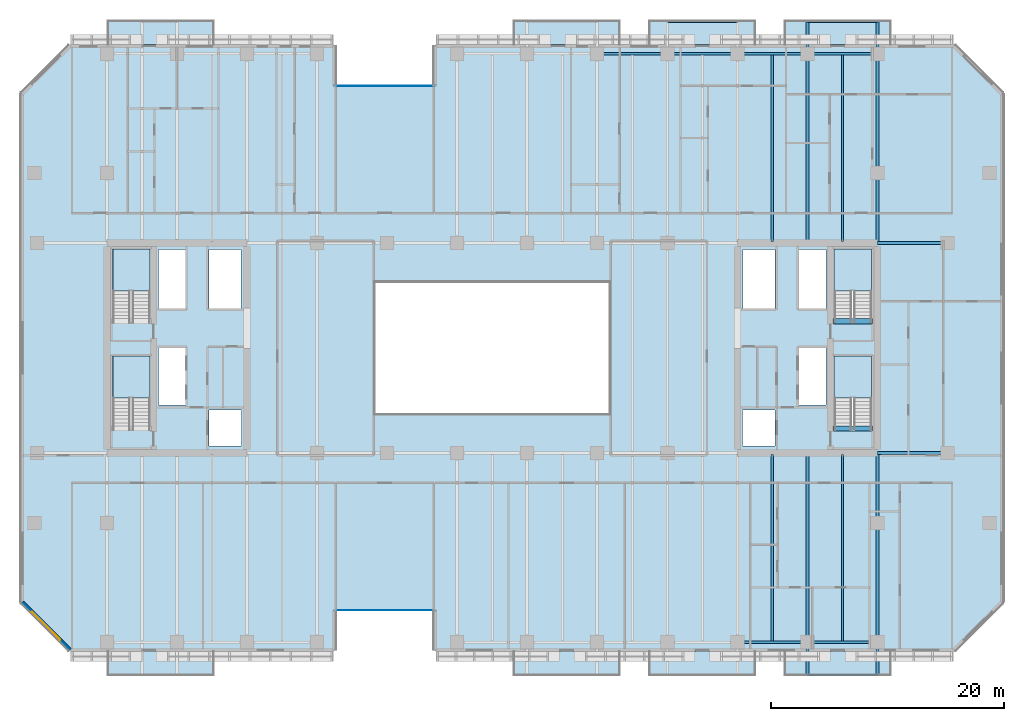
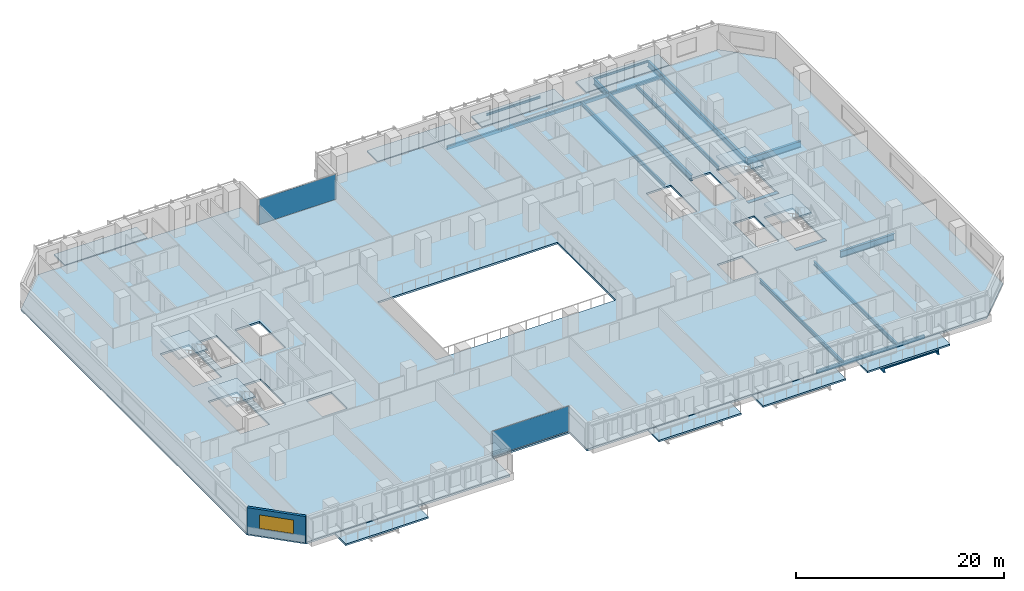
# One storey, part 9 of 25: 21 beams, 13 slabs, 2 plates, 1 wall, 1 window, 1 opening, 6 elements without a shape of their own.
"""IFC4 building model written with IfcOpenShell, lengths in metres."""

from ifc_helpers import new_model, si_unit, direction, frame, frame_2d, origin, origin_2d, place, context, subcontext, project, spatial, polyline, rectangle, hollow_rectangle, i_section, outline, extrude, material, layer, layer_set, material_profile, profile_set, type_object, element, fill, aggregate, save


model = new_model("IFC4")

# Units and contexts
model_context = context("Model", 3, precision=1e-05, world=origin(), true_north=direction((0.0, 1.0)))
body_context = subcontext(model_context, "Body", "Model", "MODEL_VIEW")
ifc_project = project(units=[si_unit("LENGTHUNIT", "METRE"), si_unit("AREAUNIT", "SQUARE_METRE"), si_unit("VOLUMEUNIT", "CUBIC_METRE"), si_unit("PLANEANGLEUNIT", "RADIAN"), si_unit("MASSUNIT", "GRAM", prefix="KILO")], contexts=[model_context])

# Site, building, storey
site_placement = place(None, origin())
site = spatial("IfcSite", under=ifc_project, at=site_placement, CompositionType="ELEMENT")
building_placement = place(site_placement, origin())
building = spatial("IfcBuilding", under=site, at=building_placement, Name="Tanjung Sevakor Pilgrim Tower", CompositionType="ELEMENT")
storey_placement = place(building_placement, frame((0.0, 0.0, 42.239990234375)))
storey = spatial("IfcBuildingStorey", under=building, at=storey_placement, Name="L11", CompositionType="ELEMENT", Elevation=42.239990234375)

# Beams
ifc_material_1 = material(Name="Steel S355J2", Category="steel")
ifc_material_profile_1 = material_profile(ifc_material_1, i_section(OverallWidth=0.26806640625, OverallDepth=0.769775390625, WebThickness=0.015625, FlangeThickness=0.025390625, FilletRadius=0.0166015625, at=origin_2d()))
ifc_profile_set_1 = profile_set([ifc_material_profile_1], Name="Steel S355J2")
beam_type_1 = type_object("IfcBeamType", Name="BM-B-G1-UB_762x267x197", PredefinedType="BEAM", material=ifc_profile_set_1)
for number, where, z_axis, x_axis, name in (
    (1, (90.0, 24.60009765625, -0.60498046875), (1.0, 0.0, 0.0), (0.0, 1.0, 0.0), "L11 Primary Floor Girder MAIN Y246-09"),
    (2, (90.0, 42.60009765625, -0.60498046875), (1.0, 0.0, 0.0), (0.0, 1.0, 0.0), "L11 Primary Floor Girder MAIN Y426-09"),
):
    element("IfcBeam", number, at=place(storey_placement, frame(where, z_axis=z_axis, x_axis=x_axis)), inside=storey, type_object=beam_type_1, Name=name, PredefinedType="BEAM", context=body_context, shape_type="SweptSolid", body=[
        extrude(i_section(OverallWidth=0.26806640625, OverallDepth=0.769775390625, WebThickness=0.015625, FlangeThickness=0.025390625, FilletRadius=0.0166015625, at=origin_2d()), origin(), (0.0, 0.0, 1.0), 6.0),
    ])
ifc_material_2 = material(Name="Steel S355J2", Category="steel")
ifc_material_profile_2 = material_profile(ifc_material_2, i_section(OverallWidth=0.25439453125, OverallDepth=0.6875, WebThickness=0.01318359375, FlangeThickness=0.02099609375, FilletRadius=0.01513671875, at=origin_2d()))
ifc_profile_set_2 = profile_set([ifc_material_profile_2], Name="Steel S355J2")
beam_type_2 = type_object("IfcBeamType", Name="BM-B-G2-UB_686x254x152", PredefinedType="BEAM", material=ifc_profile_set_2)
beam_1_placement = place(storey_placement, frame((84.0, 24.466064453125, -0.563720703125), z_axis=(0.0, -1.0, 0.0), x_axis=(1.0, 0.0, 0.0)))
element("IfcBeam", 3, at=beam_1_placement, inside=storey, type_object=beam_type_2, Name="L11 Balcony Cantilever Beam MAIN-S4-1", PredefinedType="BEAM", context=body_context, shape_type="SweptSolid", body=[
    extrude(i_section(OverallWidth=0.25439453125, OverallDepth=0.6875, WebThickness=0.01318359375, FlangeThickness=0.02099609375, FilletRadius=0.01513671875, at=origin_2d()), origin(), (0.0, 0.0, 1.0), 18.845947265625),
])
beam_2_placement = place(storey_placement, frame((84.0, 42.73388671875, -0.563720703125), z_axis=(0.0, 1.0, 0.0), x_axis=(-1.0, 0.0, 0.0)))
element("IfcBeam", 4, at=beam_2_placement, inside=storey, type_object=beam_type_2, Name="L11 Balcony Cantilever Beam MAIN-N4-1", PredefinedType="BEAM", context=body_context, shape_type="SweptSolid", body=[
    extrude(i_section(OverallWidth=0.25439453125, OverallDepth=0.6875, WebThickness=0.01318359375, FlangeThickness=0.02099609375, FilletRadius=0.01513671875, at=origin_2d()), origin(), (0.0, 0.0, 1.0), 18.84619140625),
])
beam_3_placement = place(storey_placement, frame((90.0, 24.466064453125, -0.563720703125), z_axis=(0.0, -1.0, 0.0), x_axis=(1.0, 0.0, 0.0)))
element("IfcBeam", 5, at=beam_3_placement, inside=storey, type_object=beam_type_2, Name="L11 Balcony Cantilever Beam MAIN-S4-2", PredefinedType="BEAM", context=body_context, shape_type="SweptSolid", body=[
    extrude(i_section(OverallWidth=0.25439453125, OverallDepth=0.6875, WebThickness=0.01318359375, FlangeThickness=0.02099609375, FilletRadius=0.01513671875, at=origin_2d()), origin(), (0.0, 0.0, 1.0), 18.845947265625),
])
beam_4_placement = place(storey_placement, frame((90.0, 42.73388671875, -0.563720703125), z_axis=(0.0, 1.0, 0.0), x_axis=(-1.0, 0.0, 0.0)))
element("IfcBeam", 6, at=beam_4_placement, inside=storey, type_object=beam_type_2, Name="L11 Balcony Cantilever Beam MAIN-N4-2", PredefinedType="BEAM", context=body_context, shape_type="SweptSolid", body=[
    extrude(i_section(OverallWidth=0.25439453125, OverallDepth=0.6875, WebThickness=0.01318359375, FlangeThickness=0.02099609375, FilletRadius=0.01513671875, at=origin_2d()), origin(), (0.0, 0.0, 1.0), 18.84619140625),
])
ifc_material_3 = material(Name="Steel S355J2", Category="steel")
ifc_material_profile_3 = material_profile(ifc_material_3, i_section(OverallWidth=0.19140625, OverallDepth=0.4599609375, WebThickness=0.010009765625, FlangeThickness=0.01611328125, FilletRadius=0.01025390625, at=origin_2d()))
ifc_profile_set_3 = profile_set([ifc_material_profile_3], Name="Steel S355J2")
beam_type_3 = type_object("IfcBeamType", Name="BM-B-J2-UB_457x191x82", PredefinedType="JOIST", material=ifc_profile_set_3)
for number, where, z_axis, x_axis, name in (
    (7, (81.0, 8.5, -0.449951171875), (0.0, 1.0, 0.0), (-1.0, 0.0, 0.0), "L11 MAIN Joist 026"),
    (8, (81.0, 42.73388671875, -0.449951171875), (0.0, 1.0, 0.0), (-1.0, 0.0, 0.0), "L11 MAIN Joist 027"),
    (9, (87.0, 8.5, -0.449951171875), (0.0, 1.0, 0.0), (-1.0, 0.0, 0.0), "L11 MAIN Joist 028"),
    (10, (87.0, 42.73388671875, -0.449951171875), (0.0, 1.0, 0.0), (-1.0, 0.0, 0.0), "L11 MAIN Joist 029"),
):
    element("IfcBeam", number, at=place(storey_placement, frame(where, z_axis=z_axis, x_axis=x_axis)), inside=storey, type_object=beam_type_3, Name=name, PredefinedType="JOIST", context=body_context, shape_type="SweptSolid", body=[
        extrude(i_section(OverallWidth=0.19140625, OverallDepth=0.4599609375, WebThickness=0.010009765625, FlangeThickness=0.01611328125, FilletRadius=0.01025390625, at=origin_2d()), origin(), (0.0, 0.0, 1.0), 15.966064453125),
    ])
ifc_material_4 = material(Name="Steel S355J2", Category="steel")
ifc_material_profile_4 = material_profile(ifc_material_4, i_section(OverallWidth=0.146484375, OverallDepth=0.256103515625, WebThickness=0.00634765625, FlangeThickness=0.010986328125, FilletRadius=0.007568359375, at=origin_2d()))
ifc_profile_set_4 = profile_set([ifc_material_profile_4], Name="Steel S355J2")
beam_type_4 = type_object("IfcBeamType", Name="BM-B-J6-UB_254x146x37", PredefinedType="JOIST", material=ifc_profile_set_4)
for number, where, z_axis, x_axis, name in (
    (11, (72.0, 61.580078125, -0.327880859375), (1.0, 0.0, 0.0), (0.0, 1.0, 0.0), "L11 Balcony Rim Tie MAIN-N3"),
    (12, (84.0, 5.6201171875, -0.327880859375), (1.0, 0.0, 0.0), (0.0, 1.0, 0.0), "L11 Balcony Rim Tie MAIN-S4"),
    (13, (84.0, 61.580078125, -0.327880859375), (1.0, 0.0, 0.0), (0.0, 1.0, 0.0), "L11 Balcony Rim Tie MAIN-N4"),
):
    element("IfcBeam", number, at=place(storey_placement, frame(where, z_axis=z_axis, x_axis=x_axis)), inside=storey, type_object=beam_type_4, Name=name, PredefinedType="JOIST", context=body_context, shape_type="SweptSolid", body=[
        extrude(i_section(OverallWidth=0.146484375, OverallDepth=0.256103515625, WebThickness=0.00634765625, FlangeThickness=0.010986328125, FilletRadius=0.007568359375, at=origin_2d()), origin(), (0.0, 0.0, 1.0), 6.0),
    ])
ifc_material_5 = material(Name="Concrete C60/75", Category="concrete")
ifc_material_profile_5 = material_profile(ifc_material_5, rectangle(XDim=0.449951171875, YDim=0.699951171875, at=origin_2d()))
ifc_profile_set_5 = profile_set([ifc_material_profile_5], Name="Concrete C60/75")
beam_type_5 = type_object("IfcBeamType", Name="BM-B-LN3-RC-BM_450x700", PredefinedType="LINTEL", material=ifc_profile_set_5)
for number, where, z_axis, x_axis, name in (
    (14, (86.199951171875, 26.699951171875, -0.35009765625), (1.0, 0.0, 0.0), (0.0, 1.0, 0.0), "L11 TS-E1 Stair Threshold Beam"),
    (15, (86.199951171875, 35.89990234375, -0.35009765625), (1.0, 0.0, 0.0), (0.0, 1.0, 0.0), "L11 TS-E2 Stair Threshold Beam"),
):
    element("IfcBeam", number, at=place(storey_placement, frame(where, z_axis=z_axis, x_axis=x_axis)), inside=storey, type_object=beam_type_5, Name=name, PredefinedType="LINTEL", context=body_context, shape_type="SweptSolid", body=[
        extrude(rectangle(XDim=0.449951171875, YDim=0.699951171875, at=origin_2d()), origin(), (0.0, 0.0, 1.0), 3.400146484375),
    ])
ifc_material_6 = material(Name="Steel S355J2", Category="steel")
ifc_material_profile_6 = material_profile(ifc_material_6, hollow_rectangle(XDim=0.199951171875, YDim=0.39990234375, WallThickness=0.01611328125, at=origin_2d()))
ifc_profile_set_6 = profile_set([ifc_material_profile_6], Name="Steel S355J2")
beam_type_6 = type_object("IfcBeamType", Name="BM-B-SP2-RHS_400x200x16", PredefinedType="SPANDREL", material=ifc_profile_set_6)
for number, where, z_axis, x_axis, name in (
    (16, (66.0, 58.800048828125, -0.419921875), (1.0, 0.0, 0.0), (0.0, 1.0, 0.0), "L11 Spandrel MAIN N-12"),
    (17, (72.0, 58.800048828125, -0.419921875), (1.0, 0.0, 0.0), (0.0, 1.0, 0.0), "L11 Spandrel MAIN N-14"),
    (18, (78.0, 8.39990234375, -0.419921875), (1.0, 0.0, 0.0), (0.0, 1.0, 0.0), "L11 Spandrel MAIN S-15"),
    (19, (78.0, 58.800048828125, -0.419921875), (1.0, 0.0, 0.0), (0.0, 1.0, 0.0), "L11 Spandrel MAIN N-16"),
    (20, (84.0, 8.39990234375, -0.419921875), (1.0, 0.0, 0.0), (0.0, 1.0, 0.0), "L11 Spandrel MAIN S-17"),
    (21, (84.0, 58.800048828125, -0.419921875), (1.0, 0.0, 0.0), (0.0, 1.0, 0.0), "L11 Spandrel MAIN N-18"),
):
    element("IfcBeam", number, at=place(storey_placement, frame(where, z_axis=z_axis, x_axis=x_axis)), inside=storey, type_object=beam_type_6, Name=name, PredefinedType="SPANDREL", context=body_context, shape_type="SweptSolid", body=[
        extrude(hollow_rectangle(XDim=0.199951171875, YDim=0.39990234375, WallThickness=0.01611328125, at=origin_2d()), origin(), (0.0, 0.0, 1.0), 6.0),
    ])

# Slabs
ifc_material_7 = material(Name="Concrete C40/50", Category="concrete")
ifc_layer_1 = layer(ifc_material_7, 0.199951171875)
ifc_layer_set_1 = layer_set([ifc_layer_1], Name="SL-BAL-200")
slab_type_1 = type_object("IfcSlabType", Name="SL-BAL-200", PredefinedType="FLOOR", material=ifc_layer_set_1)
slab_1_placement = place(storey_placement, frame((0.0, 0.0, -0.199951171875)))
element("IfcSlab", 22, at=slab_1_placement, inside=storey, type_object=slab_type_1, Name="L11 Planted Loggia Balcony MAIN-S1", PredefinedType="FLOOR", context=body_context, shape_type="SweptSolid", body=[
    extrude(outline(polyline([(24.0, 5.5), (33.199951171875, 5.5), (33.199951171875, 7.60009765625), (24.0, 7.60009765625), (24.0, 5.5)])), origin(), (0.0, 0.0, 1.0), 0.199951171875),
])
slab_2_placement = place(storey_placement, frame((0.0, 0.0, -0.199951171875)))
element("IfcSlab", 23, at=slab_2_placement, inside=storey, type_object=slab_type_1, Name="L11 Planted Loggia Balcony MAIN-N1", PredefinedType="FLOOR", context=body_context, shape_type="SweptSolid", body=[
    extrude(outline(polyline([(24.0, 59.60009765625), (33.199951171875, 59.60009765625), (33.199951171875, 61.699951171875), (24.0, 61.699951171875), (24.0, 59.60009765625)])), origin(), (0.0, 0.0, 1.0), 0.199951171875),
])
slab_3_placement = place(storey_placement, frame((0.0, 0.0, -0.199951171875)))
element("IfcSlab", 24, at=slab_3_placement, inside=storey, type_object=slab_type_1, Name="L11 Planted Loggia Balcony MAIN-S2", PredefinedType="FLOOR", context=body_context, shape_type="SweptSolid", body=[
    extrude(outline(polyline([(58.800048828125, 5.5), (68.0, 5.5), (68.0, 7.60009765625), (58.800048828125, 7.60009765625), (58.800048828125, 5.5)])), origin(), (0.0, 0.0, 1.0), 0.199951171875),
])
slab_4_placement = place(storey_placement, frame((0.0, 0.0, -0.199951171875)))
element("IfcSlab", 25, at=slab_4_placement, inside=storey, type_object=slab_type_1, Name="L11 Planted Loggia Balcony MAIN-N2", PredefinedType="FLOOR", context=body_context, shape_type="SweptSolid", body=[
    extrude(outline(polyline([(58.800048828125, 59.60009765625), (68.0, 59.60009765625), (68.0, 61.699951171875), (58.800048828125, 61.699951171875), (58.800048828125, 59.60009765625)])), origin(), (0.0, 0.0, 1.0), 0.199951171875),
])
slab_5_placement = place(storey_placement, frame((0.0, 0.0, -0.199951171875)))
element("IfcSlab", 26, at=slab_5_placement, inside=storey, type_object=slab_type_1, Name="L11 Planted Loggia Balcony MAIN-S3", PredefinedType="FLOOR", context=body_context, shape_type="SweptSolid", body=[
    extrude(outline(polyline([(70.39990234375, 5.5), (79.60009765625, 5.5), (79.60009765625, 7.60009765625), (70.39990234375, 7.60009765625), (70.39990234375, 5.5)])), origin(), (0.0, 0.0, 1.0), 0.199951171875),
])
slab_6_placement = place(storey_placement, frame((0.0, 0.0, -0.199951171875)))
element("IfcSlab", 27, at=slab_6_placement, inside=storey, type_object=slab_type_1, Name="L11 Planted Loggia Balcony MAIN-N3", PredefinedType="FLOOR", context=body_context, shape_type="SweptSolid", body=[
    extrude(outline(polyline([(70.39990234375, 59.60009765625), (79.60009765625, 59.60009765625), (79.60009765625, 61.699951171875), (70.39990234375, 61.699951171875), (70.39990234375, 59.60009765625)])), origin(), (0.0, 0.0, 1.0), 0.199951171875),
])
slab_7_placement = place(storey_placement, frame((0.0, 0.0, -0.199951171875)))
element("IfcSlab", 28, at=slab_7_placement, inside=storey, type_object=slab_type_1, Name="L11 Planted Loggia Balcony MAIN-S4", PredefinedType="FLOOR", context=body_context, shape_type="SweptSolid", body=[
    extrude(outline(polyline([(82.0, 5.5), (91.199951171875, 5.5), (91.199951171875, 7.60009765625), (82.0, 7.60009765625), (82.0, 5.5)])), origin(), (0.0, 0.0, 1.0), 0.199951171875),
])
slab_8_placement = place(storey_placement, frame((0.0, 0.0, -0.199951171875)))
element("IfcSlab", 29, at=slab_8_placement, inside=storey, type_object=slab_type_1, Name="L11 Planted Loggia Balcony MAIN-N4", PredefinedType="FLOOR", context=body_context, shape_type="SweptSolid", body=[
    extrude(outline(polyline([(82.0, 59.60009765625), (91.199951171875, 59.60009765625), (91.199951171875, 61.699951171875), (82.0, 61.699951171875), (82.0, 59.60009765625)])), origin(), (0.0, 0.0, 1.0), 0.199951171875),
])

# Stair, slab
ifc_material_8 = material(Name="Concrete C40/50", Category="concrete")
stair_type = type_object("IfcStairType", Name="STAIR-ST-CR150", PredefinedType="HALF_TURN_STAIR", material=ifc_material_8)
stair_1_placement = place(storey_placement, origin())
stair_1 = element("IfcStair", 30, at=stair_1_placement, inside=storey, type_object=stair_type, Name="L11 West Core Exit Stair 1", PredefinedType="HALF_TURN_STAIR")
ifc_material_9 = material(Name="Concrete C40/50", Category="concrete")
ifc_layer_2 = layer(ifc_material_9, 0.199951171875)
ifc_layer_set_2 = layer_set([ifc_layer_2], Name="SL-LAND-200")
slab_type_2 = type_object("IfcSlabType", Name="SL-LAND-200", PredefinedType="LANDING", material=ifc_layer_set_2)
slab_9_placement = place(storey_placement, frame((0.0, 0.0, 1.449951171875)))
slab_9 = element("IfcSlab", 31, at=slab_9_placement, type_object=slab_type_2, Name="TS-W1 landing 1", PredefinedType="LANDING", context=body_context, shape_type="SweptSolid", body=[
    extrude(outline(polyline([(27.699951171875, 29.300048828125), (27.699951171875, 32.89990234375), (24.5, 32.89990234375), (24.5, 29.300048828125), (27.699951171875, 29.300048828125)])), origin(), (0.0, 0.0, 1.0), 0.199951171875),
])
aggregate(stair_1, [slab_9])

stair_2_placement = place(storey_placement, origin())
stair_2 = element("IfcStair", 32, at=stair_2_placement, inside=storey, type_object=stair_type, Name="L11 West Core Exit Stair 2", PredefinedType="HALF_TURN_STAIR")
slab_10_placement = place(storey_placement, frame((0.0, 0.0, 1.449951171875)))
slab_10 = element("IfcSlab", 33, at=slab_10_placement, type_object=slab_type_2, Name="TS-W2 landing 1", PredefinedType="LANDING", context=body_context, shape_type="SweptSolid", body=[
    extrude(outline(polyline([(27.699951171875, 38.5), (27.699951171875, 42.10009765625), (24.5, 42.10009765625), (24.5, 38.5), (27.699951171875, 38.5)])), origin(), (0.0, 0.0, 1.0), 0.199951171875),
])
aggregate(stair_2, [slab_10])

stair_3_placement = place(storey_placement, origin())
stair_3 = element("IfcStair", 34, at=stair_3_placement, inside=storey, type_object=stair_type, Name="L11 East Core Exit Stair 1", PredefinedType="HALF_TURN_STAIR")
slab_11_placement = place(storey_placement, frame((0.0, 0.0, 1.449951171875)))
slab_11 = element("IfcSlab", 35, at=slab_11_placement, type_object=slab_type_2, Name="TS-E1 landing 1", PredefinedType="LANDING", context=body_context, shape_type="SweptSolid", body=[
    extrude(outline(polyline([(89.5, 29.300048828125), (89.5, 32.89990234375), (86.300048828125, 32.89990234375), (86.300048828125, 29.300048828125), (89.5, 29.300048828125)])), origin(), (0.0, 0.0, 1.0), 0.199951171875),
])
aggregate(stair_3, [slab_11])

stair_4_placement = place(storey_placement, origin())
stair_4 = element("IfcStair", 36, at=stair_4_placement, inside=storey, type_object=stair_type, Name="L11 East Core Exit Stair 2", PredefinedType="HALF_TURN_STAIR")
slab_12_placement = place(storey_placement, frame((0.0, 0.0, 1.449951171875)))
slab_12 = element("IfcSlab", 37, at=slab_12_placement, type_object=slab_type_2, Name="TS-E2 landing 1", PredefinedType="LANDING", context=body_context, shape_type="SweptSolid", body=[
    extrude(outline(polyline([(89.5, 38.5), (89.5, 42.10009765625), (86.300048828125, 42.10009765625), (86.300048828125, 38.5), (89.5, 38.5)])), origin(), (0.0, 0.0, 1.0), 0.199951171875),
])
aggregate(stair_4, [slab_12])

# Slab
ifc_material_10 = material(Name="Concrete C40/50", Category="concrete")
ifc_layer_3 = layer(ifc_material_10, 0.219970703125)
ifc_layer_set_3 = layer_set([ifc_layer_3], Name="SL-TWR-220")
slab_type_3 = type_object("IfcSlabType", Name="SL-TWR-220", PredefinedType="FLOOR", material=ifc_layer_set_3)
slab_13_placement = place(storey_placement, frame((0.0, 0.0, -0.219970703125)))
element("IfcSlab", 38, at=slab_13_placement, inside=storey, type_object=slab_type_3, Name="L11 Floor Slab MAIN", PredefinedType="FLOOR", context=body_context, shape_type="SweptSolid", body=[
    extrude(outline(polyline([(20.846923828125, 7.679931640625), (43.52001953125, 7.679931640625), (43.52001953125, 11.080078125), (52.080078125, 11.080078125), (52.080078125, 7.679931640625), (96.552978515625, 7.679931640625), (100.719970703125, 11.846923828125), (100.719970703125, 55.35302734375), (96.552978515625, 59.52001953125), (52.080078125, 59.52001953125), (52.080078125, 56.1201171875), (43.52001953125, 56.1201171875), (43.52001953125, 59.52001953125), (20.846923828125, 59.52001953125), (16.679931640625, 55.35302734375), (16.679931640625, 11.846923828125), (20.846923828125, 7.679931640625)]), holes=[polyline([(27.699951171875, 26.60009765625), (27.699951171875, 32.89990234375), (24.5, 32.89990234375), (24.5, 26.60009765625), (27.699951171875, 26.60009765625)]), polyline([(27.699951171875, 35.800048828125), (27.699951171875, 42.10009765625), (24.5, 42.10009765625), (24.5, 35.800048828125), (27.699951171875, 35.800048828125)]), polyline([(89.5, 26.60009765625), (89.5, 32.89990234375), (86.300048828125, 32.89990234375), (86.300048828125, 26.60009765625), (89.5, 26.60009765625)]), polyline([(89.5, 35.800048828125), (89.5, 42.10009765625), (86.300048828125, 42.10009765625), (86.300048828125, 35.800048828125), (89.5, 35.800048828125)]), polyline([(32.75, 25.199951171875), (35.550048828125, 25.199951171875), (35.550048828125, 28.300048828125), (32.75, 28.300048828125), (32.75, 25.199951171875)]), polyline([(28.39990234375, 28.699951171875), (30.75, 28.699951171875), (30.75, 33.60009765625), (28.39990234375, 33.60009765625), (28.39990234375, 28.699951171875)]), polyline([(28.39990234375, 37.0), (30.75, 37.0), (30.75, 42.050048828125), (28.39990234375, 42.050048828125), (28.39990234375, 37.0)]), polyline([(32.75, 37.0), (35.5, 37.0), (35.5, 42.050048828125), (32.75, 42.050048828125), (32.75, 37.0)]), polyline([(78.449951171875, 25.199951171875), (81.25, 25.199951171875), (81.25, 28.300048828125), (78.449951171875, 28.300048828125), (78.449951171875, 25.199951171875)]), polyline([(83.25, 28.699951171875), (85.60009765625, 28.699951171875), (85.60009765625, 33.60009765625), (83.25, 33.60009765625), (83.25, 28.699951171875)]), polyline([(83.25, 37.0), (85.60009765625, 37.0), (85.60009765625, 42.050048828125), (83.25, 42.050048828125), (83.25, 37.0)]), polyline([(78.5, 37.0), (81.25, 37.0), (81.25, 42.050048828125), (78.5, 42.050048828125), (78.5, 37.0)]), polyline([(47.0, 28.0), (67.0, 28.0), (67.0, 39.199951171875), (47.0, 39.199951171875), (47.0, 28.0)])]), origin(), (0.0, 0.0, 1.0), 0.219970703125),
])

# Curtain wall, plate
ifc_material_11 = material(Name="Aluminium 6063-T6 and Low-E Glass", Category="aluminium")
ifc_layer_4 = layer(ifc_material_11, 0.179931640625)
ifc_layer_set_4 = layer_set([ifc_layer_4], Name="CW-SYS-CLEFT")
curtain_wall_type = type_object("IfcCurtainWallType", Name="CW-SYS-CLEFT", PredefinedType="NOTDEFINED", material=ifc_layer_set_4)
curtain_wall_1_placement = place(storey_placement, origin())
curtain_wall_1 = element("IfcCurtainWall", 39, at=curtain_wall_1_placement, inside=storey, type_object=curtain_wall_type, Name="L11 Curtain Wall CW-CLF-L11-2", PredefinedType="NOTDEFINED")
ifc_material_12 = material(Name="Laminated Low-E Double Glazing", Category="glass")
ifc_layer_5 = layer(ifc_material_12, 0.028076171875)
ifc_layer_set_5 = layer_set([ifc_layer_5], Name="TYPE-CWP-GLZ1")
plate_type = type_object("IfcPlateType", Name="TYPE-CWP-GLZ1", PredefinedType="CURTAIN_PANEL", material=ifc_layer_set_5)
plate_1_placement = place(storey_placement, frame((47.800048828125, 11.139892578125, 0.06494140625), z_axis=(0.0, 0.0, 1.0), x_axis=(1.0, 0.0, 0.0)))
plate_1 = element("IfcPlate", 40, at=plate_1_placement, type_object=plate_type, Name="CW-CLF panel 1.1", PredefinedType="CURTAIN_PANEL", context=body_context, shape_type="SweptSolid", body=[
    extrude(rectangle(XDim=8.530029296875, YDim=0.028076171875, at=origin_2d()), origin(), (0.0, 0.0, 1.0), 2.949951171875),
])
aggregate(curtain_wall_1, [plate_1])

curtain_wall_2_placement = place(storey_placement, origin())
curtain_wall_2 = element("IfcCurtainWall", 41, at=curtain_wall_2_placement, inside=storey, type_object=curtain_wall_type, Name="L11 Curtain Wall CW-CLF-L11-10", PredefinedType="NOTDEFINED")
plate_2_placement = place(storey_placement, frame((47.800048828125, 56.06005859375, 0.06494140625), z_axis=(0.0, 0.0, 1.0), x_axis=(-1.0, 0.0, 0.0)))
plate_2 = element("IfcPlate", 42, at=plate_2_placement, type_object=plate_type, Name="CW-CLF panel 1.1", PredefinedType="CURTAIN_PANEL", context=body_context, shape_type="SweptSolid", body=[
    extrude(rectangle(XDim=8.530029296875, YDim=0.028076171875, at=origin_2d()), origin(), (0.0, 0.0, 1.0), 2.949951171875),
])
aggregate(curtain_wall_2, [plate_2])

# Wall, opening, window
ifc_material_13 = material(Name="Precast concrete C45/55", Category="concrete")
ifc_layer_6 = layer(ifc_material_13, 0.280029296875)
ifc_layer_set_6 = layer_set([ifc_layer_6], Name="WT-EW-STN2")
wall_type = type_object("IfcWallType", Name="WT-EW-STN2", PredefinedType="SOLIDWALL", material=ifc_layer_set_6)
wall_placement = place(storey_placement, frame((16.739990234375, 11.85791015625, 0.0), z_axis=(0.0, 0.0, 1.0), x_axis=(0.707106781187, -0.707106781187, 0.0)))
wall = element("IfcWall", 43, at=wall_placement, inside=storey, type_object=wall_type, Name="L11 MAIN Sculpted Corner Wall 15", PredefinedType="SOLIDWALL", context=body_context, shape_type="SweptSolid", body=[
    extrude(rectangle(XDim=5.82373046875, YDim=0.280029296875, at=frame_2d((2.911865234375, 0.0))), origin(), (0.0, 0.0, 1.0), 3.080078125),
])
opening_placement = place(wall_placement, frame((1.2119140625, 0.0, 0.780029296875)))
opening = element("IfcOpeningElement", 44, at=opening_placement, cuts=wall, Name="Opening WN-CHM-1660", PredefinedType="OPENING", context=body_context, shape_type="SweptSolid", body=[
    extrude(rectangle(XDim=3.39990234375, YDim=1.659912109375, at=frame_2d((1.699951171875, 0.830078125))), frame((0.0, 0.14990234375, 0.0), z_axis=(0.0, -1.0, 0.0), x_axis=(1.0, 0.0, 0.0)), (0.0, 0.0, 1.0), 0.300048828125),
])
ifc_material_14 = material(Name="Thermally Broken Aluminium and Low-E Glass", Category="aluminium")
window_type = type_object("IfcWindowType", Name="WTYP-WN-CHM-1660", PartitioningType="DOUBLE_PANEL_VERTICAL", PredefinedType="WINDOW", material=ifc_material_14)
window_placement = place(opening_placement, origin())
window = element("IfcWindow", 45, at=window_placement, inside=storey, type_object=window_type, Name="L11 Facade Window 01", OverallHeight=1.659912109375, OverallWidth=3.39990234375, PartitioningType="SINGLE_PANEL", PredefinedType="WINDOW", context=body_context, shape_type="SweptSolid", body=[
    extrude(rectangle(XDim=3.39990234375, YDim=1.659912109375, at=frame_2d((1.699951171875, 0.830078125))), frame((0.0, 0.030029296875, 0.0), z_axis=(0.0, -1.0, 0.0), x_axis=(1.0, 0.0, 0.0)), (0.0, 0.0, 1.0), 0.06005859375),
])
fill(opening, window)

save(model, "model.ifc")
